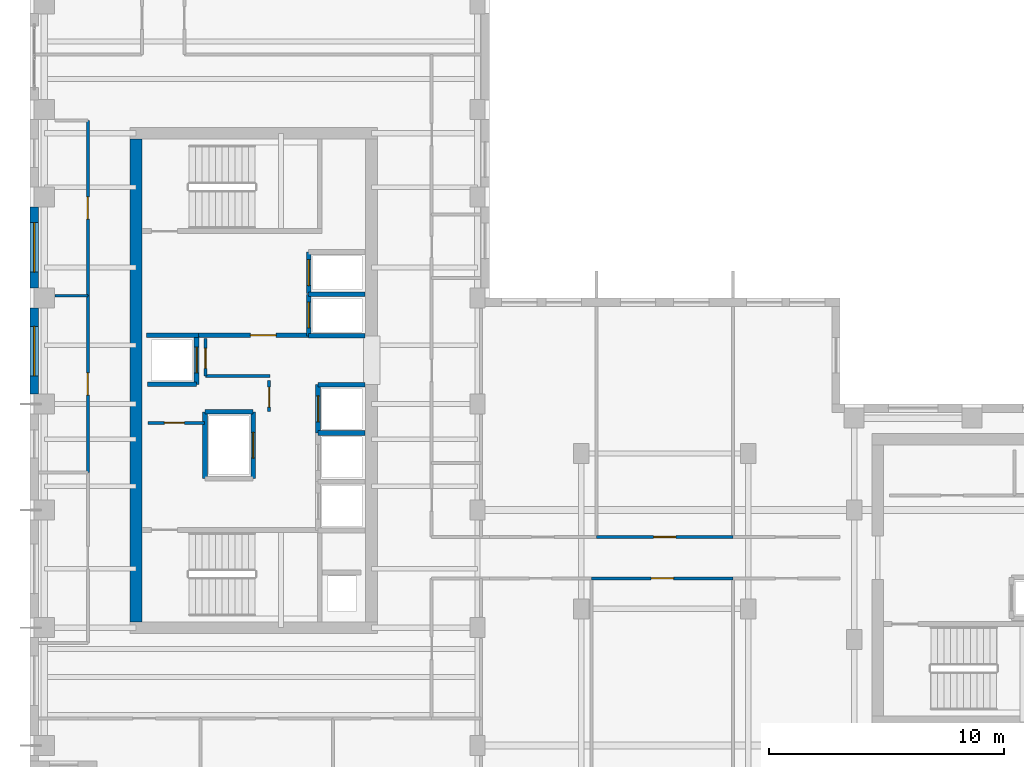
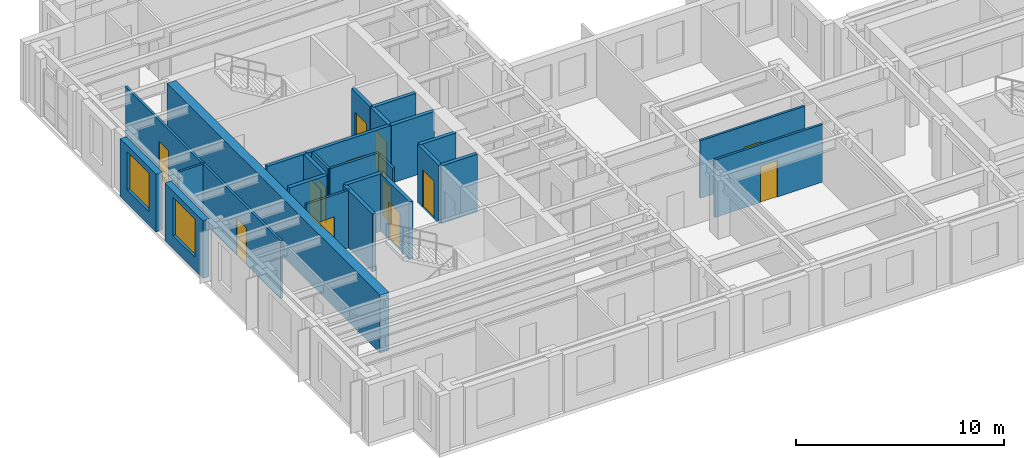
# One storey, part 7 of 13: 26 walls, 13 doors, 2 windows, 15 openings.
"""IFC4 building model written with IfcOpenShell, lengths in metres."""

from ifc_helpers import new_model, si_unit, direction, frame, frame_2d, origin, place, context, subcontext, project, spatial, rectangle, extrude, source, transform, mapped, material, layer, layer_set, type_object, element, fill, save


model = new_model("IFC4")

# Units and contexts
model_context = context("Model", 3, precision=1e-05, world=origin(), true_north=direction((0.0, 1.0)))
body_context = subcontext(model_context, "Body", "Model", "MODEL_VIEW")
ifc_project = project(units=[si_unit("LENGTHUNIT", "METRE"), si_unit("AREAUNIT", "SQUARE_METRE"), si_unit("VOLUMEUNIT", "CUBIC_METRE"), si_unit("PLANEANGLEUNIT", "RADIAN"), si_unit("MASSUNIT", "GRAM", prefix="KILO")], contexts=[model_context])

# Site, building, storey
site_placement = place(None, origin())
site = spatial("IfcSite", under=ifc_project, at=site_placement, CompositionType="ELEMENT")
building_placement = place(site_placement, origin())
building = spatial("IfcBuilding", under=site, at=building_placement, Name="Kharzan Plaza Tower", CompositionType="ELEMENT")
storey_placement = place(building_placement, frame((0.0, 0.0, 252.0)))
storey = spatial("IfcBuildingStorey", under=building, at=storey_placement, Name="L68", CompositionType="ELEMENT", Elevation=252.0)

# Wall, opening, window
ifc_material_1 = material(Name="Concrete C40/50", Category="concrete")
ifc_layer_1 = layer(ifc_material_1, 0.35009765625)
ifc_layer_set_1 = layer_set([ifc_layer_1], Name="Concrete C40/50")
wall_type_1 = type_object("IfcWallType", Name="WL-EXT-MAS-Z4", PredefinedType="SOLIDWALL", material=ifc_layer_set_1)
wall_1_placement = place(storey_placement, frame((0.175048828125, 26.376953125, 0.0), z_axis=(0.0, 0.0, 1.0), x_axis=(0.0, -1.0, 0.0)))
wall_1 = element("IfcWall", 1, at=wall_1_placement, inside=storey, type_object=wall_type_1, Name="L68 Masonry-Frame Exterior Wall 18", PredefinedType="SOLIDWALL", context=body_context, shape_type="SweptSolid", body=[
    extrude(rectangle(XDim=3.453857421875, YDim=0.35009765625, at=frame_2d((1.72705078125, 0.0))), origin(), (0.0, 0.0, 1.0), 3.385009765625),
])
opening_1_placement = place(wall_1_placement, frame((0.677001953125, 0.0, 0.780029296875)))
opening_1 = element("IfcOpeningElement", 2, at=opening_1_placement, cuts=wall_1, Name="Opening W6", PredefinedType="OPENING", context=body_context, shape_type="SweptSolid", body=[
    extrude(rectangle(XDim=2.10009765625, YDim=2.25, at=frame_2d((1.050048828125, 1.125))), frame((0.0, 0.18505859375, 0.0), z_axis=(0.0, -1.0, 0.0), x_axis=(1.0, 0.0, 0.0)), (0.0, 0.0, 1.0), 0.3701171875),
])
ifc_material_2 = material(Name="Low-E Double Glazing", Category="glass")
window_type = type_object("IfcWindowType", Name="WN-EXEC-2100x2250", PartitioningType="SINGLE_PANEL", PredefinedType="WINDOW", material=ifc_material_2)
shared_shape_1 = source(origin(), body_context, "Body", "SweptSolid", [
    extrude(rectangle(XDim=2.10009765625, YDim=2.25, at=frame_2d((1.050048828125, 1.125))), frame((0.0, 0.030029296875, 0.0), z_axis=(0.0, -1.0, 0.0), x_axis=(1.0, 0.0, 0.0)), (0.0, 0.0, 1.0), 0.06005859375),
])
window_1_placement = place(opening_1_placement, origin())
window_1 = element("IfcWindow", 3, at=window_1_placement, inside=storey, type_object=window_type, Name="L68 Recessed Solar-Control Window 18-1", OverallHeight=2.25, OverallWidth=2.10009765625, PartitioningType="SINGLE_PANEL", PredefinedType="WINDOW", context=body_context, shape_type="MappedRepresentation", body=[
    mapped(shared_shape_1, transform((0.0, 0.0, 0.0), x_axis=(1.0, 0.0, 0.0), y_axis=(0.0, 1.0, 0.0), z_axis=(0.0, 0.0, 1.0))),
])
fill(opening_1, window_1)

wall_2_placement = place(storey_placement, frame((0.175048828125, 22.076904296875, 0.0), z_axis=(0.0, 0.0, 1.0), x_axis=(0.0, -1.0, 0.0)))
wall_2 = element("IfcWall", 4, at=wall_2_placement, inside=storey, type_object=wall_type_1, Name="L68 Masonry-Frame Exterior Wall 19", PredefinedType="SOLIDWALL", context=body_context, shape_type="SweptSolid", body=[
    extrude(rectangle(XDim=3.65380859375, YDim=0.35009765625, at=frame_2d((1.826904296875, 0.0))), origin(), (0.0, 0.0, 1.0), 3.385009765625),
])
opening_2_placement = place(wall_2_placement, frame((0.777099609375, 0.0, 0.780029296875)))
opening_2 = element("IfcOpeningElement", 5, at=opening_2_placement, cuts=wall_2, Name="Opening W6", PredefinedType="OPENING", context=body_context, shape_type="SweptSolid", body=[
    extrude(rectangle(XDim=2.10009765625, YDim=2.25, at=frame_2d((1.050048828125, 1.125))), frame((0.0, 0.18505859375, 0.0), z_axis=(0.0, -1.0, 0.0), x_axis=(1.0, 0.0, 0.0)), (0.0, 0.0, 1.0), 0.3701171875),
])
window_2_placement = place(opening_2_placement, origin())
window_2 = element("IfcWindow", 6, at=window_2_placement, inside=storey, type_object=window_type, Name="L68 Recessed Solar-Control Window 19-1", OverallHeight=2.25, OverallWidth=2.10009765625, PartitioningType="SINGLE_PANEL", PredefinedType="WINDOW", context=body_context, shape_type="MappedRepresentation", body=[
    mapped(shared_shape_1, transform((0.0, 0.0, 0.0), x_axis=(1.0, 0.0, 0.0), y_axis=(0.0, 1.0, 0.0), z_axis=(0.0, 0.0, 1.0))),
])
fill(opening_2, window_2)

# Wall, opening, door
ifc_layer_2 = layer(ifc_material_1, 0.179931640625)
ifc_layer_set_2 = layer_set([ifc_layer_2], Name="Concrete C40/50")
wall_type_2 = type_object("IfcWallType", Name="WL-INT-FIRE-180", PredefinedType="PARTITIONING", material=ifc_layer_set_2)
wall_3_placement = place(storey_placement, frame((7.14990234375, 20.919921875, 0.0), z_axis=(0.0, 0.0, 1.0), x_axis=(1.0, 0.0, 0.0)))
wall_3 = element("IfcWall", 7, at=wall_3_placement, inside=storey, type_object=wall_type_2, Name="L68 Interior Partition CA-FF-S", PredefinedType="PARTITIONING", context=body_context, shape_type="SweptSolid", body=[
    extrude(rectangle(XDim=4.68017578125, YDim=0.179931640625, at=frame_2d((2.340087890625, 0.0))), origin(), (0.0, 0.0, 1.0), 3.385009765625),
])
opening_3_placement = place(wall_3_placement, frame((2.199951171875, 0.0, 0.0)))
opening_3 = element("IfcOpeningElement", 8, at=opening_3_placement, cuts=wall_3, Name="Opening FD1", PredefinedType="OPENING", context=body_context, shape_type="SweptSolid", body=[
    extrude(rectangle(XDim=1.10009765625, YDim=2.14990234375, at=frame_2d((0.550048828125, 1.074951171875))), frame((0.0, 0.099853515625, 0.0), z_axis=(0.0, -1.0, 0.0), x_axis=(1.0, 0.0, 0.0)), (0.0, 0.0, 1.0), 0.199951171875),
])
ifc_material_3 = material(Name="Fire-Rated Acoustic Vision-Panel Steel", Category="steel")
door_type_1 = type_object("IfcDoorType", Name="DR-FIRE-LOBBY", OperationType="NOTDEFINED", PredefinedType="DOOR", material=ifc_material_3)
shared_shape_2 = source(origin(), body_context, "Body", "SweptSolid", [
    extrude(rectangle(XDim=1.10009765625, YDim=2.14990234375, at=frame_2d((0.550048828125, 1.074951171875))), frame((0.0, 0.02490234375, 0.0), z_axis=(0.0, -1.0, 0.0), x_axis=(1.0, 0.0, 0.0)), (0.0, 0.0, 1.0), 0.050048828125),
])
door_1_placement = place(opening_3_placement, origin())
door_1 = element("IfcDoor", 9, at=door_1_placement, inside=storey, type_object=door_type_1, Name="L68 Firefighting Lobby Door", OperationType="SINGLE_SWING_RIGHT", OverallHeight=2.14990234375, OverallWidth=1.10009765625, PredefinedType="DOOR", context=body_context, shape_type="MappedRepresentation", body=[
    mapped(shared_shape_2, transform((0.0, 0.0, 0.0), x_axis=(1.0, 0.0, 0.0), y_axis=(0.0, 1.0, 0.0), z_axis=(0.0, 0.0, 1.0))),
])
fill(opening_3, door_1)

ifc_material_4 = material(Name="Fire-Rated Gypsum Board Partition", Category="gypsum")
ifc_layer_3 = layer(ifc_material_4, 0.125)
ifc_layer_set_3 = layer_set([ifc_layer_3], Name="Fire-Rated Gypsum Board Partition")
wall_type_3 = type_object("IfcWallType", Name="WL-INT-PART-125", PredefinedType="PARTITIONING", material=ifc_layer_set_3)
wall_4_placement = place(storey_placement, frame((10.14990234375, 17.679931640625, 0.0), z_axis=(0.0, 0.0, 1.0), x_axis=(0.0, 1.0, 0.0)))
wall_4 = element("IfcWall", 10, at=wall_4_placement, inside=storey, type_object=wall_type_3, Name="L68 Interior Partition CA-K2A", PredefinedType="PARTITIONING", context=body_context, shape_type="SweptSolid", body=[
    extrude(rectangle(XDim=1.320068359375, YDim=0.125, at=frame_2d((0.66015625, 0.0))), origin(), (0.0, 0.0, 1.0), 3.385009765625),
])
opening_4_placement = place(wall_4_placement, frame((0.18505859375, 0.0, 0.0)))
opening_4 = element("IfcOpeningElement", 11, at=opening_4_placement, cuts=wall_4, Name="Opening RD1", PredefinedType="OPENING", context=body_context, shape_type="SweptSolid", body=[
    extrude(rectangle(XDim=0.85009765625, YDim=2.10009765625, at=frame_2d((0.425048828125, 1.050048828125))), frame((0.0, 0.072509765625, 0.0), z_axis=(0.0, -1.0, 0.0), x_axis=(1.0, 0.0, 0.0)), (0.0, 0.0, 1.0), 0.14501953125),
])
ifc_material_5 = material(Name="Powder-Coated Fire-Rated Steel", Category="steel")
door_type_2 = type_object("IfcDoorType", Name="DR-RISER-900", OperationType="NOTDEFINED", PredefinedType="DOOR", material=ifc_material_5)
shared_shape_3 = source(origin(), body_context, "Body", "SweptSolid", [
    extrude(rectangle(XDim=0.85009765625, YDim=2.10009765625, at=frame_2d((0.425048828125, 1.050048828125))), frame((0.0, 0.02490234375, 0.0), z_axis=(0.0, -1.0, 0.0), x_axis=(1.0, 0.0, 0.0)), (0.0, 0.0, 1.0), 0.050048828125),
])
door_2_placement = place(opening_4_placement, origin())
door_2 = element("IfcDoor", 12, at=door_2_placement, inside=storey, type_object=door_type_2, Name="L68 Core Mechanical Store Door", OperationType="SINGLE_SWING_LEFT", OverallHeight=2.10009765625, OverallWidth=0.85009765625, PredefinedType="DOOR", context=body_context, shape_type="MappedRepresentation", body=[
    mapped(shared_shape_3, transform((0.0, 0.0, 0.0), x_axis=(1.0, 0.0, 0.0), y_axis=(0.0, 1.0, 0.0), z_axis=(0.0, 0.0, 1.0))),
])
fill(opening_4, door_2)

wall_5_placement = place(storey_placement, frame((7.449951171875, 19.199951171875, 0.0), z_axis=(0.0, 0.0, 1.0), x_axis=(0.0, 1.0, 0.0)))
wall_5 = element("IfcWall", 13, at=wall_5_placement, inside=storey, type_object=wall_type_3, Name="L68 Interior Partition CA-K2B", PredefinedType="PARTITIONING", context=body_context, shape_type="SweptSolid", body=[
    extrude(rectangle(XDim=1.580078125, YDim=0.125, at=frame_2d((0.7900390625, 0.0))), origin(), (0.0, 0.0, 1.0), 3.385009765625),
])
opening_5_placement = place(wall_5_placement, frame((0.31494140625, 0.0, 0.0)))
opening_5 = element("IfcOpeningElement", 14, at=opening_5_placement, cuts=wall_5, Name="Opening RD1", PredefinedType="OPENING", context=body_context, shape_type="SweptSolid", body=[
    extrude(rectangle(XDim=0.85009765625, YDim=2.10009765625, at=frame_2d((0.425048828125, 1.050048828125))), frame((0.0, 0.072509765625, 0.0), z_axis=(0.0, -1.0, 0.0), x_axis=(1.0, 0.0, 0.0)), (0.0, 0.0, 1.0), 0.14501953125),
])
door_3_placement = place(opening_5_placement, origin())
door_3 = element("IfcDoor", 15, at=door_3_placement, inside=storey, type_object=door_type_2, Name="L68 Core Plant Store Door", OperationType="SINGLE_SWING_RIGHT", OverallHeight=2.10009765625, OverallWidth=0.85009765625, PredefinedType="DOOR", context=body_context, shape_type="MappedRepresentation", body=[
    mapped(shared_shape_3, transform((0.0, 0.0, 0.0), x_axis=(1.0, 0.0, 0.0), y_axis=(0.0, 1.0, 0.0), z_axis=(0.0, 0.0, 1.0))),
])
fill(opening_5, door_3)

wall_6_placement = place(storey_placement, frame((5.0, 17.199951171875, 0.0), z_axis=(0.0, 0.0, 1.0), x_axis=(1.0, 0.0, 0.0)))
wall_6 = element("IfcWall", 16, at=wall_6_placement, inside=storey, type_object=wall_type_3, Name="L68 Interior Partition CA-K2N0", PredefinedType="PARTITIONING", context=body_context, shape_type="SweptSolid", body=[
    extrude(rectangle(XDim=2.39990234375, YDim=0.125, at=frame_2d((1.199951171875, 0.0))), origin(), (0.0, 0.0, 1.0), 3.385009765625),
])
opening_6_placement = place(wall_6_placement, frame((0.699951171875, 0.0, 0.0)))
opening_6 = element("IfcOpeningElement", 17, at=opening_6_placement, cuts=wall_6, Name="Opening RD1", PredefinedType="OPENING", context=body_context, shape_type="SweptSolid", body=[
    extrude(rectangle(XDim=0.85009765625, YDim=2.10009765625, at=frame_2d((0.425048828125, 1.050048828125))), frame((0.0, 0.072509765625, 0.0), z_axis=(0.0, -1.0, 0.0), x_axis=(1.0, 0.0, 0.0)), (0.0, 0.0, 1.0), 0.14501953125),
])
door_4_placement = place(opening_6_placement, origin())
door_4 = element("IfcDoor", 18, at=door_4_placement, inside=storey, type_object=door_type_2, Name="L68 Core Electrical Store Door", OperationType="SINGLE_SWING_RIGHT", OverallHeight=2.10009765625, OverallWidth=0.85009765625, PredefinedType="DOOR", context=body_context, shape_type="MappedRepresentation", body=[
    mapped(shared_shape_3, transform((0.0, 0.0, 0.0), x_axis=(1.0, 0.0, 0.0), y_axis=(0.0, 1.0, 0.0), z_axis=(0.0, 0.0, 1.0))),
])
fill(opening_6, door_4)

wall_7_placement = place(storey_placement, frame((24.050048828125, 12.35009765625, 0.0), z_axis=(0.0, 0.0, 1.0), x_axis=(1.0, 0.0, 0.0)))
wall_7 = element("IfcWall", 19, at=wall_7_placement, inside=storey, type_object=wall_type_3, Name="L68 Interior Partition SH-SPNM", PredefinedType="PARTITIONING", context=body_context, shape_type="SweptSolid", body=[
    extrude(rectangle(XDim=5.800048828125, YDim=0.125, at=frame_2d((2.89990234375, 0.0))), origin(), (0.0, 0.0, 1.0), 3.385009765625),
])
opening_7_placement = place(wall_7_placement, frame((2.425048828125, 0.0, 0.0)))
opening_7 = element("IfcOpeningElement", 20, at=opening_7_placement, cuts=wall_7, Name="Opening OD1", PredefinedType="OPENING", context=body_context, shape_type="SweptSolid", body=[
    extrude(rectangle(XDim=0.949951171875, YDim=2.14990234375, at=frame_2d((0.47509765625, 1.074951171875))), frame((0.0, 0.072509765625, 0.0), z_axis=(0.0, -1.0, 0.0), x_axis=(1.0, 0.0, 0.0)), (0.0, 0.0, 1.0), 0.14501953125),
])
ifc_material_6 = material(Name="Acoustic Solid-Core Stained Oak", Category="timber")
door_type_3 = type_object("IfcDoorType", Name="DR-OFF-SINGLE", OperationType="NOTDEFINED", PredefinedType="DOOR", material=ifc_material_6)
shared_shape_4 = source(origin(), body_context, "Body", "SweptSolid", [
    extrude(rectangle(XDim=0.949951171875, YDim=2.14990234375, at=frame_2d((0.47509765625, 1.074951171875))), frame((0.0, 0.02490234375, 0.0), z_axis=(0.0, -1.0, 0.0), x_axis=(1.0, 0.0, 0.0)), (0.0, 0.0, 1.0), 0.050048828125),
])
door_5_placement = place(opening_7_placement, origin())
door_5 = element("IfcDoor", 21, at=door_5_placement, inside=storey, type_object=door_type_3, Name="L68 Reclaimed Spine Door", OperationType="SINGLE_SWING_RIGHT", OverallHeight=2.14990234375, OverallWidth=0.949951171875, PredefinedType="DOOR", context=body_context, shape_type="MappedRepresentation", body=[
    mapped(shared_shape_4, transform((0.0, 0.0, 0.0), x_axis=(1.0, 0.0, 0.0), y_axis=(0.0, 1.0, 0.0), z_axis=(0.0, 0.0, 1.0))),
])
fill(opening_7, door_5)

wall_8_placement = place(storey_placement, frame((23.85009765625, 10.60009765625, 0.0), z_axis=(0.0, 0.0, 1.0), x_axis=(1.0, 0.0, 0.0)))
wall_8 = element("IfcWall", 22, at=wall_8_placement, inside=storey, type_object=wall_type_3, Name="L68 Interior Partition SH-SPS2", PredefinedType="PARTITIONING", context=body_context, shape_type="SweptSolid", body=[
    extrude(rectangle(XDim=6.0, YDim=0.125, at=frame_2d((3.0, 0.0))), origin(), (0.0, 0.0, 1.0), 3.385009765625),
])
opening_8_placement = place(wall_8_placement, frame((2.52490234375, 0.0, 0.0)))
opening_8 = element("IfcOpeningElement", 23, at=opening_8_placement, cuts=wall_8, Name="Opening OD1", PredefinedType="OPENING", context=body_context, shape_type="SweptSolid", body=[
    extrude(rectangle(XDim=0.949951171875, YDim=2.14990234375, at=frame_2d((0.47509765625, 1.074951171875))), frame((0.0, 0.072509765625, 0.0), z_axis=(0.0, -1.0, 0.0), x_axis=(1.0, 0.0, 0.0)), (0.0, 0.0, 1.0), 0.14501953125),
])
door_6_placement = place(opening_8_placement, origin())
door_6 = element("IfcDoor", 24, at=door_6_placement, inside=storey, type_object=door_type_3, Name="L68 Spine Studio 2 Door", OperationType="SINGLE_SWING_RIGHT", OverallHeight=2.14990234375, OverallWidth=0.949951171875, PredefinedType="DOOR", context=body_context, shape_type="MappedRepresentation", body=[
    mapped(shared_shape_4, transform((0.0, 0.0, 0.0), x_axis=(1.0, 0.0, 0.0), y_axis=(0.0, 1.0, 0.0), z_axis=(0.0, 0.0, 1.0))),
])
fill(opening_8, door_6)

wall_9_placement = place(storey_placement, frame((2.449951171875, 15.10009765625, 0.0), z_axis=(0.0, 0.0, 1.0), x_axis=(0.0, 1.0, 0.0)))
wall_9 = element("IfcWall", 25, at=wall_9_placement, inside=storey, type_object=wall_type_3, Name="L68 Interior Partition SH-WW-2", PredefinedType="PARTITIONING", context=body_context, shape_type="SweptSolid", body=[
    extrude(rectangle(XDim=7.5, YDim=0.125, at=frame_2d((3.75, 0.0))), origin(), (0.0, 0.0, 1.0), 3.385009765625),
])
opening_9_placement = place(wall_9_placement, frame((3.27490234375, 0.0, 0.0)))
opening_9 = element("IfcOpeningElement", 26, at=opening_9_placement, cuts=wall_9, Name="Opening OD1", PredefinedType="OPENING", context=body_context, shape_type="SweptSolid", body=[
    extrude(rectangle(XDim=0.949951171875, YDim=2.14990234375, at=frame_2d((0.47509765625, 1.074951171875))), frame((0.0, 0.072509765625, 0.0), z_axis=(0.0, -1.0, 0.0), x_axis=(1.0, 0.0, 0.0)), (0.0, 0.0, 1.0), 0.14501953125),
])
door_7_placement = place(opening_9_placement, origin())
door_7 = element("IfcDoor", 27, at=door_7_placement, inside=storey, type_object=door_type_3, Name="L68 Research Engineering Office Door", OperationType="SINGLE_SWING_RIGHT", OverallHeight=2.14990234375, OverallWidth=0.949951171875, PredefinedType="DOOR", context=body_context, shape_type="MappedRepresentation", body=[
    mapped(shared_shape_4, transform((0.0, 0.0, 0.0), x_axis=(1.0, 0.0, 0.0), y_axis=(0.0, 1.0, 0.0), z_axis=(0.0, 0.0, 1.0))),
])
fill(opening_9, door_7)

wall_10_placement = place(storey_placement, frame((2.449951171875, 22.60009765625, 0.0), z_axis=(0.0, 0.0, 1.0), x_axis=(0.0, 1.0, 0.0)))
wall_10 = element("IfcWall", 28, at=wall_10_placement, inside=storey, type_object=wall_type_3, Name="L68 Interior Partition SH-WW-3", PredefinedType="PARTITIONING", context=body_context, shape_type="SweptSolid", body=[
    extrude(rectangle(XDim=7.449951171875, YDim=0.125, at=frame_2d((3.72509765625, 0.0))), origin(), (0.0, 0.0, 1.0), 3.385009765625),
])
opening_10_placement = place(wall_10_placement, frame((3.25, 0.0, 0.0)))
opening_10 = element("IfcOpeningElement", 29, at=opening_10_placement, cuts=wall_10, Name="Opening OD1", PredefinedType="OPENING", context=body_context, shape_type="SweptSolid", body=[
    extrude(rectangle(XDim=0.949951171875, YDim=2.14990234375, at=frame_2d((0.47509765625, 1.074951171875))), frame((0.0, 0.072509765625, 0.0), z_axis=(0.0, -1.0, 0.0), x_axis=(1.0, 0.0, 0.0)), (0.0, 0.0, 1.0), 0.14501953125),
])
door_8_placement = place(opening_10_placement, origin())
door_8 = element("IfcDoor", 30, at=door_8_placement, inside=storey, type_object=door_type_3, Name="L68 Lab Safety Briefing Room Door", OperationType="SINGLE_SWING_LEFT", OverallHeight=2.14990234375, OverallWidth=0.949951171875, PredefinedType="DOOR", context=body_context, shape_type="MappedRepresentation", body=[
    mapped(shared_shape_4, transform((0.0, 0.0, 0.0), x_axis=(1.0, 0.0, 0.0), y_axis=(0.0, 1.0, 0.0), z_axis=(0.0, 0.0, 1.0))),
])
fill(opening_10, door_8)

ifc_layer_4 = layer(ifc_material_1, 0.199951171875)
ifc_layer_set_4 = layer_set([ifc_layer_4], Name="Concrete C40/50")
wall_type_4 = type_object("IfcWallType", Name="WL-INT-SHAFT-200", PredefinedType="PARTITIONING", material=ifc_layer_set_4)
wall_11_placement = place(storey_placement, frame((11.830078125, 20.89990234375, 0.0), z_axis=(0.0, 0.0, 1.0), x_axis=(0.0, 1.0, 0.0)))
wall_11 = element("IfcWall", 31, at=wall_11_placement, inside=storey, type_object=wall_type_4, Name="L68 Interior Partition SHF-FFL-1-W", PredefinedType="PARTITIONING", context=body_context, shape_type="SweptSolid", body=[
    extrude(rectangle(XDim=1.760009765625, YDim=0.199951171875, at=frame_2d((0.8798828125, 0.0))), origin(), (0.0, 0.0, 1.0), 3.385009765625),
])
opening_11_placement = place(wall_11_placement, frame((0.330078125, 0.0, 0.0)))
opening_11 = element("IfcOpeningElement", 32, at=opening_11_placement, cuts=wall_11, Name="Opening LD", PredefinedType="OPENING", context=body_context, shape_type="SweptSolid", body=[
    extrude(rectangle(XDim=1.10009765625, YDim=2.199951171875, at=frame_2d((0.550048828125, 1.10009765625))), frame((0.0, 0.10986328125, 0.0), z_axis=(0.0, -1.0, 0.0), x_axis=(1.0, 0.0, 0.0)), (0.0, 0.0, 1.0), 0.219970703125),
])
ifc_material_7 = material(Name="Brushed Stainless Steel", Category="steel")
door_type_4 = type_object("IfcDoorType", Name="DR-LIFT-SLIDE", OperationType="SLIDING_TO_LEFT", PredefinedType="DOOR", material=ifc_material_7)
shared_shape_5 = source(origin(), body_context, "Body", "SweptSolid", [
    extrude(rectangle(XDim=1.10009765625, YDim=2.199951171875, at=frame_2d((0.550048828125, 1.10009765625))), frame((0.0, 0.02490234375, 0.0), z_axis=(0.0, -1.0, 0.0), x_axis=(1.0, 0.0, 0.0)), (0.0, 0.0, 1.0), 0.050048828125),
])
door_9_placement = place(opening_11_placement, origin())
door_9 = element("IfcDoor", 33, at=door_9_placement, inside=storey, type_object=door_type_4, Name="L68 Firefighting Lift FFL-1 Sliding Landing Door", OperationType="SLIDING_TO_LEFT", OverallHeight=2.199951171875, OverallWidth=1.10009765625, PredefinedType="DOOR", context=body_context, shape_type="MappedRepresentation", body=[
    mapped(shared_shape_5, transform((0.0, 0.0, 0.0), x_axis=(1.0, 0.0, 0.0), y_axis=(0.0, 1.0, 0.0), z_axis=(0.0, 0.0, 1.0))),
])
fill(opening_11, door_9)

wall_12_placement = place(storey_placement, frame((11.830078125, 22.699951171875, 0.0), z_axis=(0.0, 0.0, 1.0), x_axis=(0.0, 1.0, 0.0)))
wall_12 = element("IfcWall", 34, at=wall_12_placement, inside=storey, type_object=wall_type_4, Name="L68 Interior Partition SHF-FFL-2-W", PredefinedType="PARTITIONING", context=body_context, shape_type="SweptSolid", body=[
    extrude(rectangle(XDim=1.760009765625, YDim=0.199951171875, at=frame_2d((0.8798828125, 0.0))), origin(), (0.0, 0.0, 1.0), 3.385009765625),
])
opening_12_placement = place(wall_12_placement, frame((0.330078125, 0.0, 0.0)))
opening_12 = element("IfcOpeningElement", 35, at=opening_12_placement, cuts=wall_12, Name="Opening LD", PredefinedType="OPENING", context=body_context, shape_type="SweptSolid", body=[
    extrude(rectangle(XDim=1.10009765625, YDim=2.199951171875, at=frame_2d((0.550048828125, 1.10009765625))), frame((0.0, 0.10986328125, 0.0), z_axis=(0.0, -1.0, 0.0), x_axis=(1.0, 0.0, 0.0)), (0.0, 0.0, 1.0), 0.219970703125),
])
door_10_placement = place(opening_12_placement, origin())
door_10 = element("IfcDoor", 36, at=door_10_placement, inside=storey, type_object=door_type_4, Name="L68 Firefighting Lift FFL-2 Sliding Landing Door", OperationType="SLIDING_TO_LEFT", OverallHeight=2.199951171875, OverallWidth=1.10009765625, PredefinedType="DOOR", context=body_context, shape_type="MappedRepresentation", body=[
    mapped(shared_shape_5, transform((0.0, 0.0, 0.0), x_axis=(1.0, 0.0, 0.0), y_axis=(0.0, 1.0, 0.0), z_axis=(0.0, 0.0, 1.0))),
])
fill(opening_12, door_10)

wall_13_placement = place(storey_placement, frame((12.22998046875, 16.77001953125, 0.0), z_axis=(0.0, 0.0, 1.0), x_axis=(0.0, 1.0, 0.0)))
wall_13 = element("IfcWall", 37, at=wall_13_placement, inside=storey, type_object=wall_type_4, Name="L68 Interior Partition SHF-PL-H3-W", PredefinedType="PARTITIONING", context=body_context, shape_type="SweptSolid", body=[
    extrude(rectangle(XDim=2.050048828125, YDim=0.199951171875, at=frame_2d((1.02490234375, 0.0))), origin(), (0.0, 0.0, 1.0), 3.385009765625),
])
opening_13_placement = place(wall_13_placement, frame((0.47509765625, 0.0, 0.0)))
opening_13 = element("IfcOpeningElement", 38, at=opening_13_placement, cuts=wall_13, Name="Opening LD", PredefinedType="OPENING", context=body_context, shape_type="SweptSolid", body=[
    extrude(rectangle(XDim=1.10009765625, YDim=2.199951171875, at=frame_2d((0.550048828125, 1.10009765625))), frame((0.0, 0.10986328125, 0.0), z_axis=(0.0, -1.0, 0.0), x_axis=(1.0, 0.0, 0.0)), (0.0, 0.0, 1.0), 0.219970703125),
])
door_11_placement = place(opening_13_placement, origin())
door_11 = element("IfcDoor", 39, at=door_11_placement, inside=storey, type_object=door_type_4, Name="L68 High-Rise Passenger Lift PL-H3 Sliding Landing Door", OperationType="SLIDING_TO_LEFT", OverallHeight=2.199951171875, OverallWidth=1.10009765625, PredefinedType="DOOR", context=body_context, shape_type="MappedRepresentation", body=[
    mapped(shared_shape_5, transform((0.0, 0.0, 0.0), x_axis=(1.0, 0.0, 0.0), y_axis=(0.0, 1.0, 0.0), z_axis=(0.0, 0.0, 1.0))),
])
fill(opening_13, door_11)

wall_14_placement = place(storey_placement, frame((7.070068359375, 18.840087890625, 0.0), z_axis=(0.0, 0.0, 1.0), x_axis=(0.0, 1.0, 0.0)))
wall_14 = element("IfcWall", 40, at=wall_14_placement, inside=storey, type_object=wall_type_4, Name="L68 Interior Partition SHF-PL-H4-E", PredefinedType="PARTITIONING", context=body_context, shape_type="SweptSolid", body=[
    extrude(rectangle(XDim=2.059814453125, YDim=0.199951171875, at=frame_2d((1.02978515625, 0.0))), origin(), (0.0, 0.0, 1.0), 3.385009765625),
])
opening_14_placement = place(wall_14_placement, frame((0.47998046875, 0.0, 0.0)))
opening_14 = element("IfcOpeningElement", 41, at=opening_14_placement, cuts=wall_14, Name="Opening LD", PredefinedType="OPENING", context=body_context, shape_type="SweptSolid", body=[
    extrude(rectangle(XDim=1.10009765625, YDim=2.199951171875, at=frame_2d((0.550048828125, 1.10009765625))), frame((0.0, 0.10986328125, 0.0), z_axis=(0.0, -1.0, 0.0), x_axis=(1.0, 0.0, 0.0)), (0.0, 0.0, 1.0), 0.219970703125),
])
door_12_placement = place(opening_14_placement, origin())
door_12 = element("IfcDoor", 42, at=door_12_placement, inside=storey, type_object=door_type_4, Name="L68 High-Rise Passenger Lift PL-H4 Sliding Landing Door", OperationType="SLIDING_TO_LEFT", OverallHeight=2.199951171875, OverallWidth=1.10009765625, PredefinedType="DOOR", context=body_context, shape_type="MappedRepresentation", body=[
    mapped(shared_shape_5, transform((0.0, 0.0, 0.0), x_axis=(1.0, 0.0, 0.0), y_axis=(0.0, 1.0, 0.0), z_axis=(0.0, 0.0, 1.0))),
])
fill(opening_14, door_12)

wall_15_placement = place(storey_placement, frame((9.469970703125, 14.830078125, 0.0), z_axis=(0.0, 0.0, 1.0), x_axis=(0.0, 1.0, 0.0)))
wall_15 = element("IfcWall", 43, at=wall_15_placement, inside=storey, type_object=wall_type_4, Name="L68 Interior Partition SHF-SVL-1-E", PredefinedType="PARTITIONING", context=body_context, shape_type="SweptSolid", body=[
    extrude(rectangle(XDim=2.83984375, YDim=0.199951171875, at=frame_2d((1.419921875, 0.0))), origin(), (0.0, 0.0, 1.0), 3.385009765625),
])
opening_15_placement = place(wall_15_placement, frame((0.8701171875, 0.0, 0.0)))
opening_15 = element("IfcOpeningElement", 44, at=opening_15_placement, cuts=wall_15, Name="Opening LD", PredefinedType="OPENING", context=body_context, shape_type="SweptSolid", body=[
    extrude(rectangle(XDim=1.10009765625, YDim=2.199951171875, at=frame_2d((0.550048828125, 1.10009765625))), frame((0.0, 0.10986328125, 0.0), z_axis=(0.0, -1.0, 0.0), x_axis=(1.0, 0.0, 0.0)), (0.0, 0.0, 1.0), 0.219970703125),
])
door_13_placement = place(opening_15_placement, origin())
door_13 = element("IfcDoor", 45, at=door_13_placement, inside=storey, type_object=door_type_4, Name="L68 Service Lift SVL-1 Sliding Landing Door", OperationType="SLIDING_TO_LEFT", OverallHeight=2.199951171875, OverallWidth=1.10009765625, PredefinedType="DOOR", context=body_context, shape_type="MappedRepresentation", body=[
    mapped(shared_shape_5, transform((0.0, 0.0, 0.0), x_axis=(1.0, 0.0, 0.0), y_axis=(0.0, 1.0, 0.0), z_axis=(0.0, 0.0, 1.0))),
])
fill(opening_15, door_13)

# Walls
shared_shape_6 = source(origin(), body_context, "Body", "SweptSolid", [
    extrude(rectangle(XDim=2.199951171875, YDim=0.179931640625, at=frame_2d((1.10009765625, 0.0))), origin(), (0.0, 0.0, 1.0), 3.385009765625),
])
wall_16_placement = place(storey_placement, frame((4.949951171875, 20.919921875, 0.0), z_axis=(0.0, 0.0, 1.0), x_axis=(1.0, 0.0, 0.0)))
element("IfcWall", 46, at=wall_16_placement, inside=storey, type_object=wall_type_2, Name="L68 Interior Partition CA-FF-SW", PredefinedType="PARTITIONING", context=body_context, shape_type="MappedRepresentation", body=[
    mapped(shared_shape_6, transform((0.0, 0.0, 0.0), x_axis=(1.0, 0.0, 0.0), y_axis=(0.0, 1.0, 0.0), z_axis=(0.0, 0.0, 1.0))),
])
shared_shape_7 = source(origin(), body_context, "Body", "SweptSolid", [
    extrude(rectangle(XDim=2.72998046875, YDim=0.125, at=frame_2d((1.364990234375, 0.0))), origin(), (0.0, 0.0, 1.0), 3.385009765625),
])
wall_17_placement = place(storey_placement, frame((7.449951171875, 19.199951171875, 0.0), z_axis=(0.0, 0.0, 1.0), x_axis=(1.0, 0.0, 0.0)))
element("IfcWall", 47, at=wall_17_placement, inside=storey, type_object=wall_type_3, Name="L68 Interior Partition CA-K2M", PredefinedType="PARTITIONING", context=body_context, shape_type="MappedRepresentation", body=[
    mapped(shared_shape_7, transform((0.0, 0.0, 0.0), x_axis=(1.0, 0.0, 0.0), y_axis=(0.0, 1.0, 0.0), z_axis=(0.0, 0.0, 1.0))),
])
shared_shape_8 = source(origin(), body_context, "Body", "SweptSolid", [
    extrude(rectangle(XDim=2.090087890625, YDim=0.199951171875, at=frame_2d((1.044921875, 0.0))), origin(), (0.0, 0.0, 1.0), 3.385009765625),
])
wall_18_placement = place(storey_placement, frame((4.97998046875, 18.840087890625, 0.0), z_axis=(0.0, 0.0, 1.0), x_axis=(1.0, 0.0, 0.0)))
element("IfcWall", 48, at=wall_18_placement, inside=storey, type_object=wall_type_4, Name="L68 Interior Partition SHF-PL-H4-S", PredefinedType="PARTITIONING", context=body_context, shape_type="MappedRepresentation", body=[
    mapped(shared_shape_8, transform((0.0, 0.0, 0.0), x_axis=(1.0, 0.0, 0.0), y_axis=(0.0, 1.0, 0.0), z_axis=(0.0, 0.0, 1.0))),
])
shared_shape_9 = source(origin(), body_context, "Body", "SweptSolid", [
    extrude(rectangle(XDim=2.0400390625, YDim=0.199951171875, at=frame_2d((1.02001953125, 0.0))), origin(), (0.0, 0.0, 1.0), 3.385009765625),
])
wall_19_placement = place(storey_placement, frame((7.429931640625, 17.669921875, 0.0), z_axis=(0.0, 0.0, 1.0), x_axis=(1.0, 0.0, 0.0)))
element("IfcWall", 49, at=wall_19_placement, inside=storey, type_object=wall_type_4, Name="L68 Interior Partition SHF-SVL-1-N", PredefinedType="PARTITIONING", context=body_context, shape_type="MappedRepresentation", body=[
    mapped(shared_shape_9, transform((0.0, 0.0, 0.0), x_axis=(1.0, 0.0, 0.0), y_axis=(0.0, 1.0, 0.0), z_axis=(0.0, 0.0, 1.0))),
])
shared_shape_10 = source(origin(), body_context, "Body", "SweptSolid", [
    extrude(rectangle(XDim=2.83984375, YDim=0.199951171875, at=frame_2d((1.419921875, 0.0))), origin(), (0.0, 0.0, 1.0), 3.385009765625),
])
wall_20_placement = place(storey_placement, frame((7.429931640625, 14.830078125, 0.0), z_axis=(0.0, 0.0, 1.0), x_axis=(0.0, 1.0, 0.0)))
element("IfcWall", 50, at=wall_20_placement, inside=storey, type_object=wall_type_4, Name="L68 Interior Partition SHF-SVL-1-W", PredefinedType="PARTITIONING", context=body_context, shape_type="MappedRepresentation", body=[
    mapped(shared_shape_10, transform((0.0, 0.0, 0.0), x_axis=(1.0, 0.0, 0.0), y_axis=(0.0, 1.0, 0.0), z_axis=(0.0, 0.0, 1.0))),
])
shared_shape_11 = source(origin(), body_context, "Body", "SweptSolid", [
    extrude(rectangle(XDim=2.389892578125, YDim=0.199951171875, at=frame_2d((1.19482421875, 0.0))), origin(), (0.0, 0.0, 1.0), 3.385009765625),
])
for number, where, z_axis, x_axis, name in (
    (51, (11.830078125, 22.659912109375, 0.0), (0.0, 0.0, 1.0), (1.0, 0.0, 0.0), "L68 Interior Partition SHF-FFL-1-N"),
    (52, (11.830078125, 20.89990234375, 0.0), (0.0, 0.0, 1.0), (1.0, 0.0, 0.0), "L68 Interior Partition SHF-FFL-1-S"),
):
    element("IfcWall", number, at=place(storey_placement, frame(where, z_axis=z_axis, x_axis=x_axis)), inside=storey, type_object=wall_type_4, Name=name, PredefinedType="PARTITIONING", context=body_context, shape_type="MappedRepresentation", body=[
        mapped(shared_shape_11, transform((0.0, 0.0, 0.0), x_axis=(1.0, 0.0, 0.0), y_axis=(0.0, 1.0, 0.0), z_axis=(0.0, 0.0, 1.0))),
    ])
shared_shape_12 = source(origin(), body_context, "Body", "SweptSolid", [
    extrude(rectangle(XDim=1.989990234375, YDim=0.199951171875, at=frame_2d((0.9951171875, 0.0))), origin(), (0.0, 0.0, 1.0), 3.385009765625),
])
for number, where, z_axis, x_axis, name in (
    (53, (12.22998046875, 16.77001953125, 0.0), (0.0, 0.0, 1.0), (1.0, 0.0, 0.0), "L68 Interior Partition SHF-PL-H2-N"),
    (54, (12.22998046875, 18.820068359375, 0.0), (0.0, 0.0, 1.0), (1.0, 0.0, 0.0), "L68 Interior Partition SHF-PL-H3-N"),
):
    element("IfcWall", number, at=place(storey_placement, frame(where, z_axis=z_axis, x_axis=x_axis)), inside=storey, type_object=wall_type_4, Name=name, PredefinedType="PARTITIONING", context=body_context, shape_type="MappedRepresentation", body=[
        mapped(shared_shape_12, transform((0.0, 0.0, 0.0), x_axis=(1.0, 0.0, 0.0), y_axis=(0.0, 1.0, 0.0), z_axis=(0.0, 0.0, 1.0))),
    ])
ifc_material_8 = material(Name="Concrete C50/60", Category="concrete")
ifc_layer_5 = layer(ifc_material_8, 0.5)
ifc_layer_set_5 = layer_set([ifc_layer_5], Name="Concrete C50/60")
wall_type_5 = type_object("IfcWallType", Name="WL-CORE-500", PredefinedType="SHEAR", material=ifc_layer_set_5)
shared_shape_13 = source(origin(), body_context, "Body", "SweptSolid", [
    extrude(rectangle(XDim=20.5, YDim=0.5, at=frame_2d((10.25, 0.0))), origin(), (0.0, 0.0, 1.0), 3.39990234375),
])
wall_21_placement = place(storey_placement, frame((4.5, 8.75, 0.0), z_axis=(0.0, 0.0, 1.0), x_axis=(0.0, 1.0, 0.0)))
element("IfcWall", 55, at=wall_21_placement, inside=storey, type_object=wall_type_5, Name="L68 CORE-A west RC shear wall", PredefinedType="SHEAR", context=body_context, shape_type="MappedRepresentation", body=[
    mapped(shared_shape_13, transform((0.0, 0.0, 0.0), x_axis=(1.0, 0.0, 0.0), y_axis=(0.0, 1.0, 0.0), z_axis=(0.0, 0.0, 1.0))),
])
shared_shape_14 = source(origin(), body_context, "Body", "SweptSolid", [
    extrude(rectangle(XDim=1.39990234375, YDim=0.125, at=frame_2d((0.699951171875, 0.0))), origin(), (0.0, 0.0, 1.0), 3.385009765625),
])
wall_22_placement = place(storey_placement, frame((1.050048828125, 22.60009765625, 0.0), z_axis=(0.0, 0.0, 1.0), x_axis=(1.0, 0.0, 0.0)))
element("IfcWall", 56, at=wall_22_placement, inside=storey, type_object=wall_type_3, Name="L68 Interior Partition SH-WH-2", PredefinedType="PARTITIONING", context=body_context, shape_type="MappedRepresentation", body=[
    mapped(shared_shape_14, transform((0.0, 0.0, 0.0), x_axis=(1.0, 0.0, 0.0), y_axis=(0.0, 1.0, 0.0), z_axis=(0.0, 0.0, 1.0))),
])

save(model, "model.ifc")
